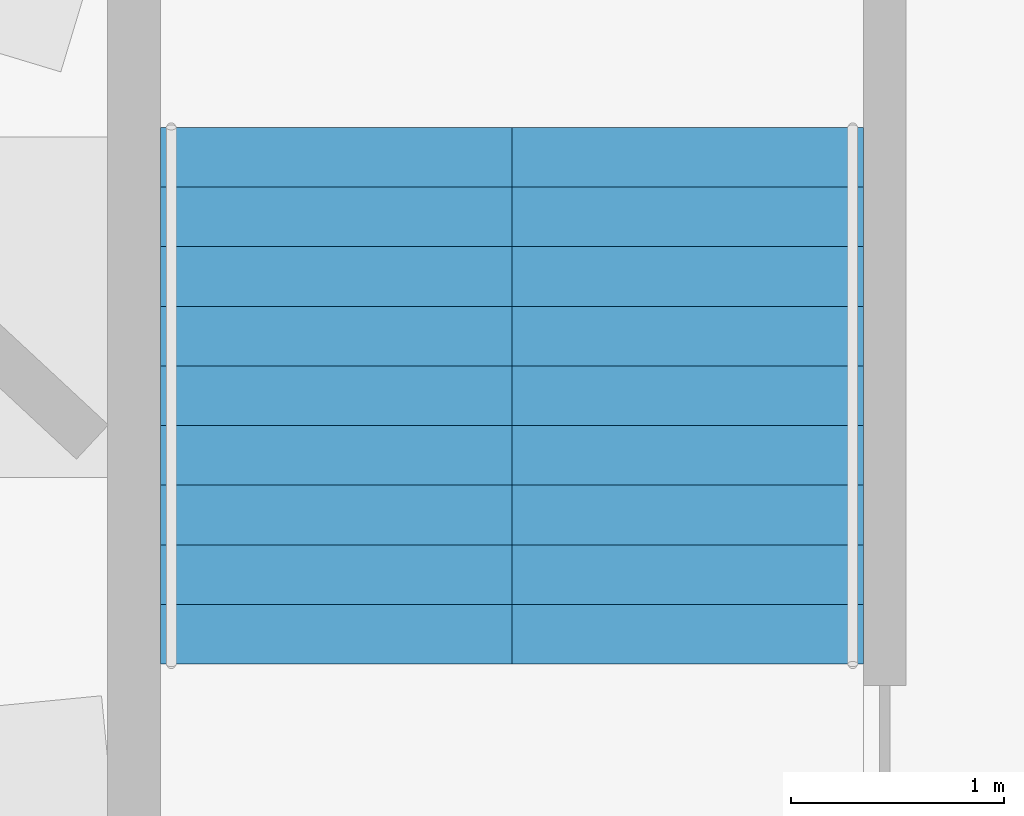
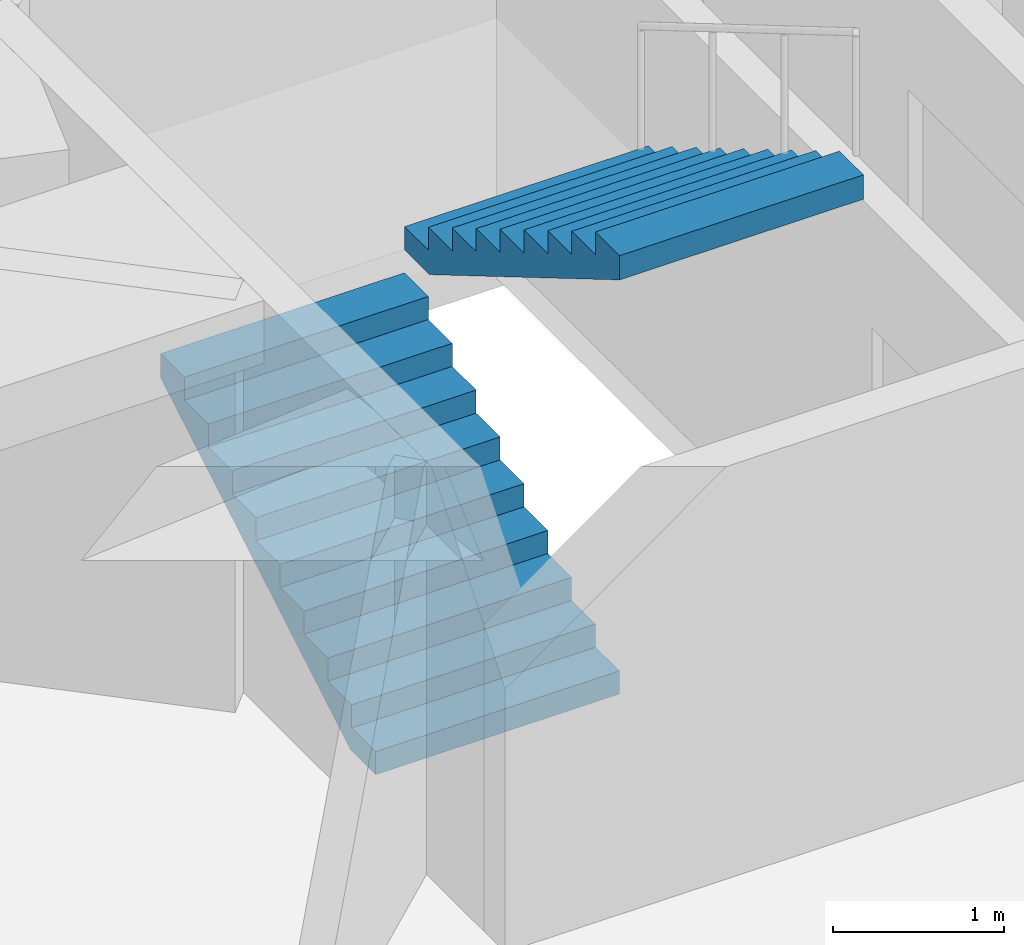
# One storey, part 9 of 12: 2 stair flights, 1 element without a shape of its own.
"""IFC4 building model written with IfcOpenShell, lengths in metres."""

from ifc_helpers import new_model, si_unit, direction, frame, origin, place, context, subcontext, project, spatial, polyline, outline, extrude, material, type_object, element, aggregate, save


model = new_model("IFC4")

# Units and contexts
model_context = context("Model", 3, precision=1e-05, world=origin(), true_north=direction((0.0, 1.0)))
body_context = subcontext(model_context, "Body", "Model", "MODEL_VIEW")
ifc_project = project(units=[si_unit("LENGTHUNIT", "METRE"), si_unit("AREAUNIT", "SQUARE_METRE"), si_unit("VOLUMEUNIT", "CUBIC_METRE"), si_unit("PLANEANGLEUNIT", "RADIAN"), si_unit("MASSUNIT", "GRAM", prefix="KILO")], contexts=[model_context])

# Site, building, storey
site_placement = place(None, origin())
site = spatial("IfcSite", under=ifc_project, at=site_placement, CompositionType="ELEMENT")
building_placement = place(site_placement, origin())
building = spatial("IfcBuilding", under=site, at=building_placement, Name="Taillehof Tower", CompositionType="ELEMENT")
storey_placement = place(building_placement, frame((0.0, 0.0, 256.39990234375)))
storey = spatial("IfcBuildingStorey", under=building, at=storey_placement, Name="L73", CompositionType="ELEMENT", Elevation=256.39990234375)

# Stair, stair flights
ifc_material_1 = material(Name="Concrete C40/50", Category="concrete")
stair_type = type_object("IfcStairType", Name="Exit stair half-turn", PredefinedType="HALF_TURN_STAIR", material=ifc_material_1)
stair_placement = place(storey_placement, origin())
stair = element("IfcStair", 1, at=stair_placement, inside=storey, type_object=stair_type, Name="Exit stair S3", PredefinedType="HALF_TURN_STAIR")
ifc_material_2 = material(Name="Concrete C40/50", Category="concrete")
stair_flight_type = type_object("IfcStairFlightType", Name="Stair flight 1650 riser 165.0 going 280", PredefinedType="STRAIGHT", material=ifc_material_2)
stair_flight_1_placement = place(storey_placement, frame((-13.425048828125, 9.449951171875, 0.0), z_axis=(0.0, 0.0, 1.0), x_axis=(0.0, 1.0, 0.0)))
stair_flight_1 = element("IfcStairFlight", 2, at=stair_flight_1_placement, type_object=stair_flight_type, Name="S3 flight 1", NumberOfRisers=10, NumberOfTreads=9, PredefinedType="STRAIGHT", RiserHeight=0.165, TreadLength=0.28, context=body_context, shape_type="SweptSolid", body=[
    extrude(outline(polyline([(0.0, 0.0), (0.0, 0.00537109375), (0.0, 0.0107421875), (0.0, 0.015869140625), (0.0, 0.021240234375), (0.0, 0.026611328125), (0.0, 0.031982421875), (0.0, 0.037353515625), (0.0, 0.04248046875), (0.0, 0.0478515625), (0.0, 0.05322265625), (0.0, 0.05859375), (0.0, 0.06396484375), (0.0, 0.069091796875), (0.0, 0.074462890625), (0.0, 0.079833984375), (0.0, 0.085205078125), (0.0, 0.090576171875), (0.0, 0.095703125), (0.0, 0.10107421875), (0.0, 0.1064453125), (0.0, 0.11181640625), (0.0, 0.1171875), (0.0, 0.122314453125), (0.0, 0.127685546875), (0.0, 0.133056640625), (0.0, 0.138427734375), (0.0, 0.143798828125), (0.0, 0.14892578125), (0.0, 0.154296875), (0.0, 0.15966796875), (0.0, 0.1650390625), (0.280029296875, 0.1650390625), (0.280029296875, 0.330078125), (0.56005859375, 0.330078125), (0.56005859375, 0.4951171875), (0.840087890625, 0.4951171875), (0.840087890625, 0.659912109375), (1.1201171875, 0.659912109375), (1.1201171875, 0.824951171875), (1.39990234375, 0.824951171875), (1.39990234375, 0.989990234375), (1.679931640625, 0.989990234375), (1.679931640625, 1.155029296875), (1.9599609375, 1.155029296875), (1.9599609375, 1.320068359375), (2.239990234375, 1.320068359375), (2.239990234375, 1.485107421875), (2.52001953125, 1.485107421875), (2.52001953125, 1.4794921875), (2.52001953125, 1.473876953125), (2.52001953125, 1.46826171875), (2.52001953125, 1.462646484375), (2.52001953125, 1.45703125), (2.52001953125, 1.451416015625), (2.52001953125, 1.44580078125), (2.52001953125, 1.440185546875), (2.52001953125, 1.4345703125), (2.52001953125, 1.428955078125), (2.52001953125, 1.42333984375), (2.52001953125, 1.417724609375), (2.52001953125, 1.412109375), (2.52001953125, 1.406494140625), (2.52001953125, 1.40087890625), (2.52001953125, 1.395263671875), (2.52001953125, 1.3896484375), (2.52001953125, 1.384033203125), (2.52001953125, 1.37841796875), (2.52001953125, 1.372802734375), (2.52001953125, 1.3671875), (2.52001953125, 1.361572265625), (2.52001953125, 1.35595703125), (2.52001953125, 1.350341796875), (2.52001953125, 1.3447265625), (2.52001953125, 1.339111328125), (2.52001953125, 1.33349609375), (2.52001953125, 1.327880859375), (2.52001953125, 1.322265625), (2.52001953125, 1.316650390625), (2.52001953125, 1.31103515625), (0.295166015625, 0.0), (0.0, 0.0)])), frame((0.0, 0.824951171875, 0.0), z_axis=(0.0, -1.0, 0.0), x_axis=(1.0, 0.0, 0.0)), (0.0, 0.0, 1.0), 1.65),
])
stair_flight_2_placement = place(storey_placement, frame((-11.77490234375, 11.969970703125, 1.650146484375), z_axis=(0.0, 0.0, 1.0), x_axis=(0.0, -1.0, 0.0)))
stair_flight_2 = element("IfcStairFlight", 3, at=stair_flight_2_placement, type_object=stair_flight_type, Name="S3 flight 2", NumberOfRisers=10, NumberOfTreads=9, PredefinedType="STRAIGHT", RiserHeight=0.165, TreadLength=0.28, context=body_context, shape_type="SweptSolid", body=[
    extrude(outline(polyline([(0.0, 0.0), (0.0, 0.00537109375), (0.0, 0.0107421875), (0.0, 0.015869140625), (0.0, 0.021240234375), (0.0, 0.026611328125), (0.0, 0.031982421875), (0.0, 0.037353515625), (0.0, 0.04248046875), (0.0, 0.0478515625), (0.0, 0.05322265625), (0.0, 0.05859375), (0.0, 0.06396484375), (0.0, 0.069091796875), (0.0, 0.074462890625), (0.0, 0.079833984375), (0.0, 0.085205078125), (0.0, 0.090576171875), (0.0, 0.095703125), (0.0, 0.10107421875), (0.0, 0.1064453125), (0.0, 0.11181640625), (0.0, 0.1171875), (0.0, 0.122314453125), (0.0, 0.127685546875), (0.0, 0.133056640625), (0.0, 0.138427734375), (0.0, 0.143798828125), (0.0, 0.14892578125), (0.0, 0.154296875), (0.0, 0.15966796875), (0.0, 0.1650390625), (0.280029296875, 0.1650390625), (0.280029296875, 0.330078125), (0.56005859375, 0.330078125), (0.56005859375, 0.4951171875), (0.840087890625, 0.4951171875), (0.840087890625, 0.659912109375), (1.1201171875, 0.659912109375), (1.1201171875, 0.824951171875), (1.39990234375, 0.824951171875), (1.39990234375, 0.989990234375), (1.679931640625, 0.989990234375), (1.679931640625, 1.155029296875), (1.9599609375, 1.155029296875), (1.9599609375, 1.320068359375), (2.239990234375, 1.320068359375), (2.239990234375, 1.485107421875), (2.52001953125, 1.485107421875), (2.52001953125, 1.4794921875), (2.52001953125, 1.473876953125), (2.52001953125, 1.46826171875), (2.52001953125, 1.462646484375), (2.52001953125, 1.45703125), (2.52001953125, 1.451416015625), (2.52001953125, 1.44580078125), (2.52001953125, 1.440185546875), (2.52001953125, 1.4345703125), (2.52001953125, 1.428955078125), (2.52001953125, 1.42333984375), (2.52001953125, 1.417724609375), (2.52001953125, 1.412109375), (2.52001953125, 1.406494140625), (2.52001953125, 1.40087890625), (2.52001953125, 1.395263671875), (2.52001953125, 1.3896484375), (2.52001953125, 1.384033203125), (2.52001953125, 1.37841796875), (2.52001953125, 1.372802734375), (2.52001953125, 1.3671875), (2.52001953125, 1.361572265625), (2.52001953125, 1.35595703125), (2.52001953125, 1.350341796875), (2.52001953125, 1.3447265625), (2.52001953125, 1.339111328125), (2.52001953125, 1.33349609375), (2.52001953125, 1.327880859375), (2.52001953125, 1.322265625), (2.52001953125, 1.316650390625), (2.52001953125, 1.31103515625), (0.295166015625, 0.0), (0.0, 0.0)])), frame((0.0, 0.824951171875, 0.0), z_axis=(0.0, -1.0, 0.0), x_axis=(1.0, 0.0, 0.0)), (0.0, 0.0, 1.0), 1.65),
])
aggregate(stair, [stair_flight_1, stair_flight_2])

save(model, "model.ifc")
